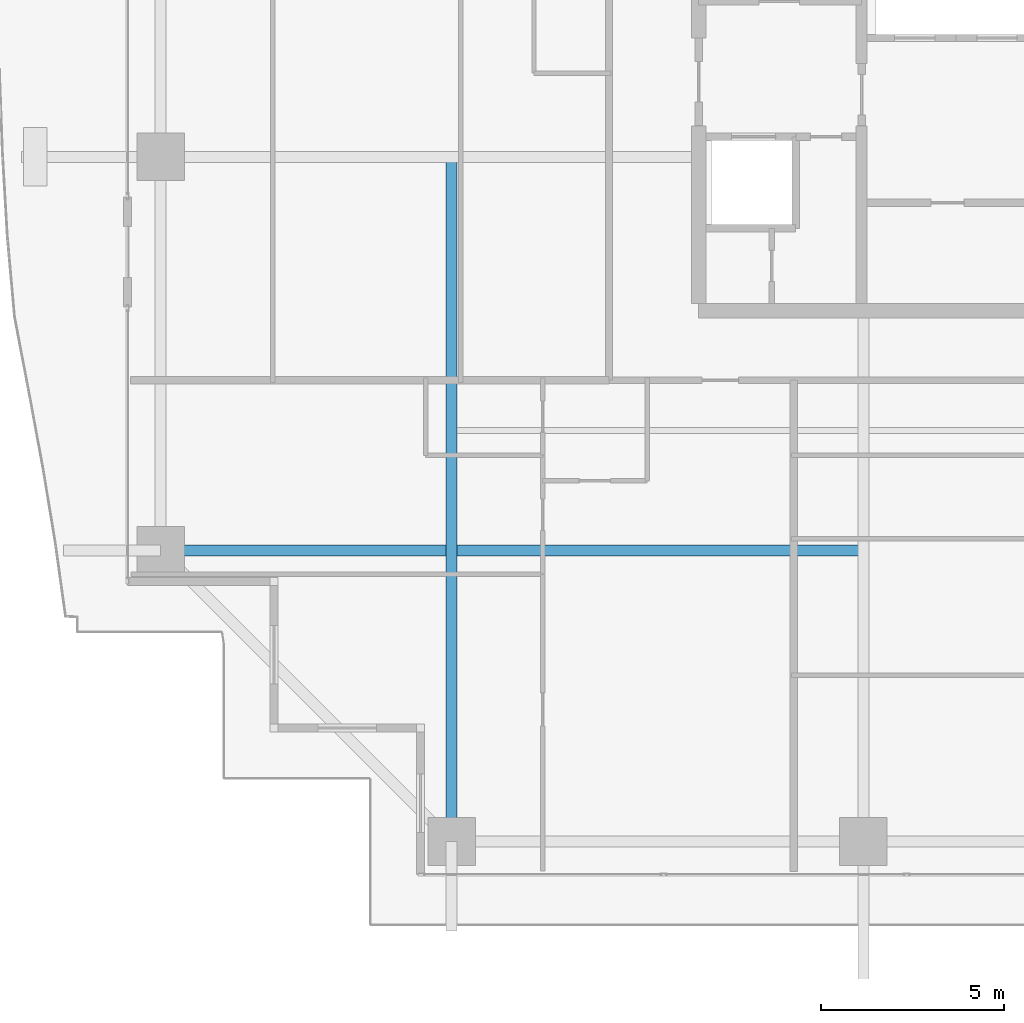
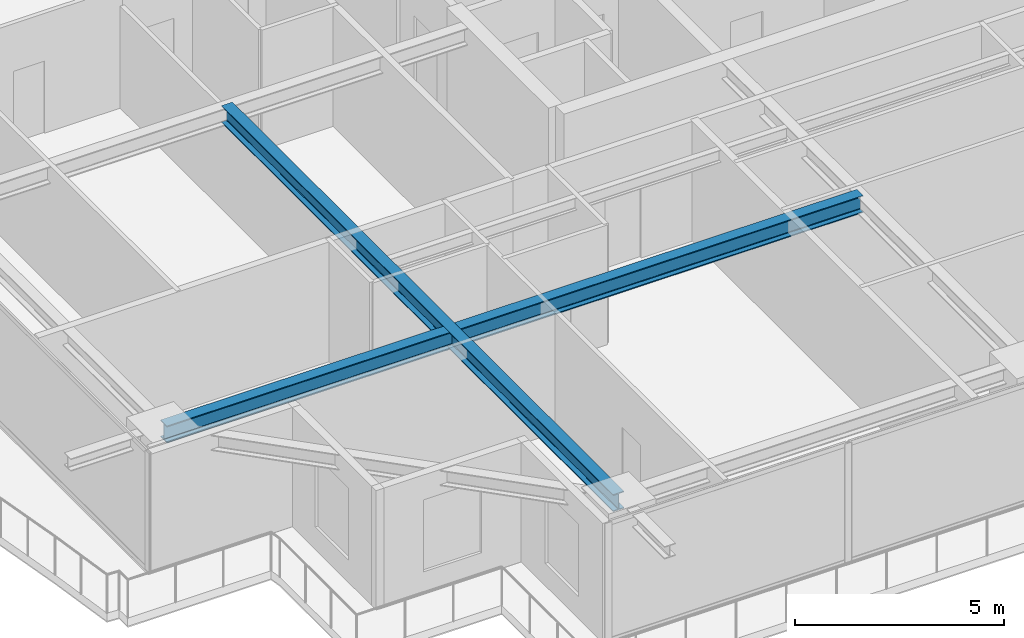
# One storey, part 4 of 37: 2 beams.
"""IFC4 building model written with IfcOpenShell, lengths in metres."""

from ifc_helpers import new_model, si_unit, direction, frame, origin, origin_2d, place, context, subcontext, project, spatial, i_section, extrude, source, transform, mapped, material, material_profile, profile_set, type_object, element, save


model = new_model("IFC4")

# Units and contexts
model_context = context("Model", 3, precision=1e-05, world=origin(), true_north=direction((0.0, 1.0)))
body_context = subcontext(model_context, "Body", "Model", "MODEL_VIEW")
ifc_project = project(units=[si_unit("LENGTHUNIT", "METRE"), si_unit("AREAUNIT", "SQUARE_METRE"), si_unit("VOLUMEUNIT", "CUBIC_METRE"), si_unit("PLANEANGLEUNIT", "RADIAN"), si_unit("MASSUNIT", "GRAM", prefix="KILO")], contexts=[model_context])

# Site, building, storey
site_placement = place(None, origin())
site = spatial("IfcSite", under=ifc_project, at=site_placement, CompositionType="ELEMENT")
building_placement = place(site_placement, origin())
building = spatial("IfcBuilding", under=site, at=building_placement, Name="Serunith Strait Residences", CompositionType="ELEMENT")
storey_placement = place(building_placement, frame((0.0, 0.0, 138.89990234375)))
storey = spatial("IfcBuildingStorey", under=building, at=storey_placement, Name="L34", CompositionType="ELEMENT", Elevation=138.89990234375)

# Beams
ifc_material = material(Name="Steel S355J2", Category="steel")
ifc_material_profile = material_profile(ifc_material, i_section(OverallWidth=0.300048828125, OverallDepth=0.5, WebThickness=0.014404296875, FlangeThickness=0.028076171875, FilletRadius=0.027099609375, at=origin_2d()), Name="HEB 500")
ifc_profile_set = profile_set([ifc_material_profile], Name="Steel S355J2")
beam_type = type_object("IfcBeamType", Name="BM-HEB500", PredefinedType="BEAM", material=ifc_profile_set)
shared_shape_1 = source(origin(), body_context, "Body", "SweptSolid", [
    extrude(i_section(OverallWidth=0.300048828125, OverallDepth=0.5, WebThickness=0.014404296875, FlangeThickness=0.028076171875, FilletRadius=0.027099609375, at=origin_2d()), origin(), (0.0, 0.0, 1.0), 18.699951171875),
])
beam_1_placement = place(storey_placement, frame((16.64990234375, 21.0, 3.237060546875), z_axis=(0.0, -1.0, 0.0), x_axis=(1.0, 0.0, 0.0)))
element("IfcBeam", 1, at=beam_1_placement, inside=storey, type_object=beam_type, Name="L34 Orthogonal Corner Girder TC-S1", PredefinedType="BEAM", context=body_context, shape_type="MappedRepresentation", body=[
    mapped(shared_shape_1, transform((0.0, 0.0, 0.0), scale=1.0)),
])
shared_shape_2 = source(origin(), body_context, "Body", "SweptSolid", [
    extrude(i_section(OverallWidth=0.300048828125, OverallDepth=0.5, WebThickness=0.014404296875, FlangeThickness=0.028076171875, FilletRadius=0.027099609375, at=origin_2d()), origin(), (0.0, 0.0, 1.0), 19.199951171875),
])
beam_2_placement = place(storey_placement, frame((27.89990234375, 10.25, 3.237060546875), z_axis=(-1.0, 0.0, 0.0), x_axis=(0.0, -1.0, 0.0)))
element("IfcBeam", 2, at=beam_2_placement, inside=storey, type_object=beam_type, Name="L34 Orthogonal Corner Girder TC-W1", PredefinedType="BEAM", context=body_context, shape_type="MappedRepresentation", body=[
    mapped(shared_shape_2, transform((0.0, 0.0, 0.0), scale=1.0)),
])

save(model, "model.ifc")
